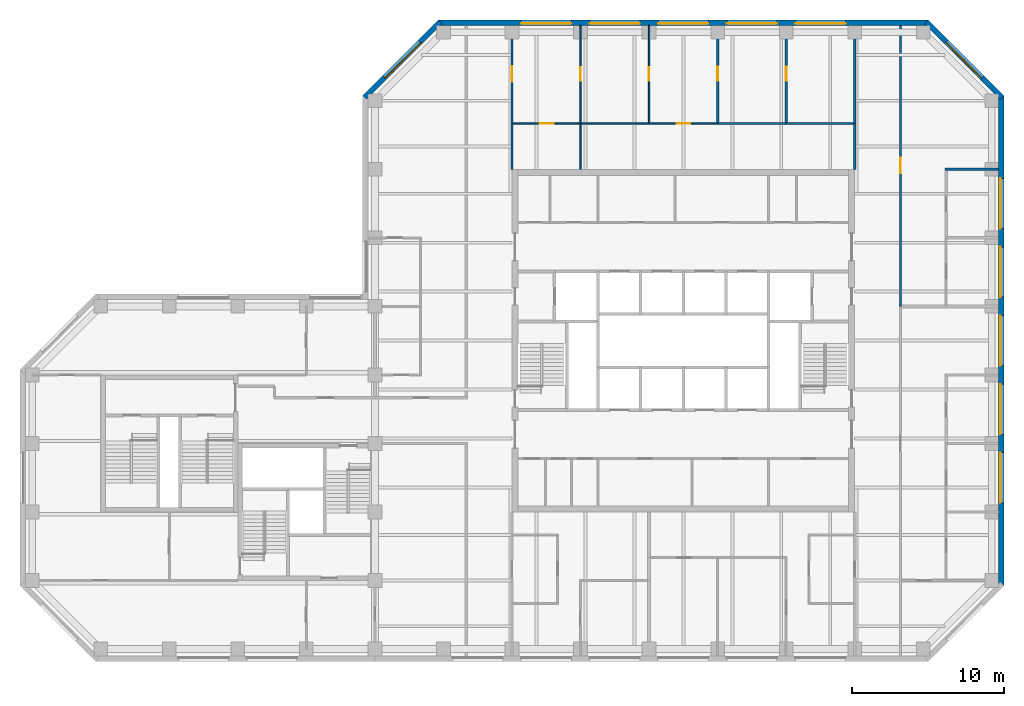
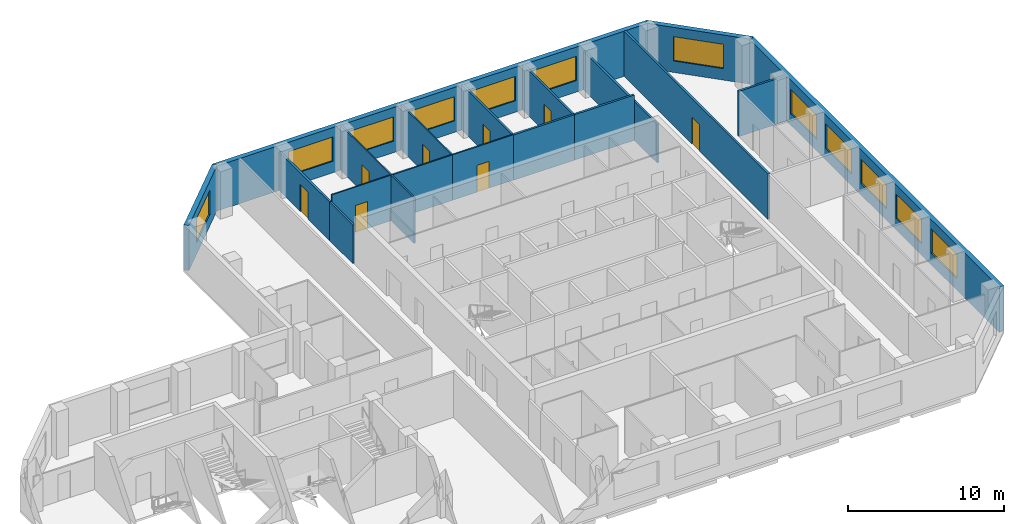
# One storey, part 7 of 9: 20 walls, 12 windows, 8 doors, 20 openings.
"""IFC4 building model written with IfcOpenShell, lengths in metres."""

from ifc_helpers import new_model, si_unit, direction, frame, frame_2d, origin, place, context, subcontext, project, spatial, rectangle, extrude, material, layer, layer_set, constituent, constituent_set, type_object, element, fill, save


model = new_model("IFC4")

# Units and contexts
model_context = context("Model", 3, precision=1e-05, world=origin(), true_north=direction((0.0, 1.0)))
body_context = subcontext(model_context, "Body", "Model", "MODEL_VIEW")
ifc_project = project(units=[si_unit("LENGTHUNIT", "METRE"), si_unit("AREAUNIT", "SQUARE_METRE"), si_unit("VOLUMEUNIT", "CUBIC_METRE"), si_unit("PLANEANGLEUNIT", "RADIAN"), si_unit("MASSUNIT", "GRAM", prefix="KILO")], contexts=[model_context])

# Site, building, storey
site_placement = place(None, origin())
site = spatial("IfcSite", under=ifc_project, at=site_placement, CompositionType="ELEMENT")
building_placement = place(site_placement, origin())
building = spatial("IfcBuilding", under=site, at=building_placement, Name="Quoin Convention Tower", CompositionType="ELEMENT")
storey_placement = place(building_placement, frame((0.0, 0.0, 241.5)))
storey = spatial("IfcBuildingStorey", under=building, at=storey_placement, Name="L63", CompositionType="ELEMENT", Elevation=241.5)

# Walls
ifc_material_1 = material(Name="Plasterboard")
ifc_layer_1 = layer(ifc_material_1, 0.012451171875, Name="Finish")
ifc_material_2 = material(Name="Steel stud framing", Category="steel")
ifc_layer_2 = layer(ifc_material_2, 0.125, Name="Structure")
ifc_layer_3 = layer(ifc_material_1, 0.012451171875, Name="Finish")
ifc_layer_set_1 = layer_set([ifc_layer_1, ifc_layer_2, ifc_layer_3], Name="Steel stud framing")
wall_type_1 = type_object("IfcWallType", Name="Acoustic partition 150", PredefinedType="PARTITIONING", material=ifc_layer_set_1)
wall_1_placement = place(storey_placement, frame((73.425048828125, 72.0, 0.0), z_axis=(0.0, 0.0, 1.0), x_axis=(1.0, 0.0, 0.0)))
element("IfcWall", 1, at=wall_1_placement, inside=storey, type_object=wall_type_1, Name="pw-L63-028", PredefinedType="PARTITIONING", context=body_context, shape_type="SweptSolid", body=[
    extrude(rectangle(XDim=3.52490234375, YDim=0.14990234375, at=frame_2d((1.762451171875, 0.0))), origin(), (0.0, 0.0, 1.0), 3.550048828125),
])
wall_2_placement = place(storey_placement, frame((58.5, 75.0, 0.0), z_axis=(0.0, 0.0, 1.0), x_axis=(1.0, 0.0, 0.0)))
element("IfcWall", 2, at=wall_2_placement, inside=storey, type_object=wall_type_1, Name="pw-L63-032", PredefinedType="PARTITIONING", context=body_context, shape_type="SweptSolid", body=[
    extrude(rectangle(XDim=4.5, YDim=0.14990234375, at=frame_2d((2.25, 0.0))), origin(), (0.0, 0.0, 1.0), 3.550048828125),
])
wall_3_placement = place(storey_placement, frame((63.0, 75.0, 0.0), z_axis=(0.0, 0.0, 1.0), x_axis=(1.0, 0.0, 0.0)))
element("IfcWall", 3, at=wall_3_placement, inside=storey, type_object=wall_type_1, Name="pw-L63-033", PredefinedType="PARTITIONING", context=body_context, shape_type="SweptSolid", body=[
    extrude(rectangle(XDim=4.425048828125, YDim=0.14990234375, at=frame_2d((2.21240234375, 0.0))), origin(), (0.0, 0.0, 1.0), 3.550048828125),
])

# Wall, opening, door
wall_4_placement = place(storey_placement, frame((58.5, 75.074951171875, 0.0), z_axis=(0.0, 0.0, 1.0), x_axis=(0.0, 1.0, 0.0)))
wall_4 = element("IfcWall", 4, at=wall_4_placement, inside=storey, type_object=wall_type_1, Name="pw-L63-078", PredefinedType="PARTITIONING", context=body_context, shape_type="SweptSolid", body=[
    extrude(rectangle(XDim=6.375, YDim=0.14990234375, at=frame_2d((3.1875, 0.0))), origin(), (0.0, 0.0, 1.0), 3.550048828125),
])
opening_1_placement = place(wall_4_placement, frame((2.75, 0.0, 0.0)))
opening_1 = element("IfcOpeningElement", 5, at=opening_1_placement, cuts=wall_4, Name="Opening DOH11-26", PredefinedType="OPENING", context=body_context, shape_type="SweptSolid", body=[
    extrude(rectangle(XDim=0.89990234375, YDim=2.10009765625, at=frame_2d((0.449951171875, 1.050048828125))), frame((0.0, 0.0849609375, 0.0), z_axis=(0.0, -1.0, 0.0), x_axis=(1.0, 0.0, 0.0)), (0.0, 0.0, 1.0), 0.169921875),
])
ifc_material_3 = material(Name="Steel door leaf", Category="steel")
door_type_1 = type_object("IfcDoorType", Name="Office door 900 x 2100", OperationType="SINGLE_SWING_RIGHT", PredefinedType="DOOR", material=ifc_material_3)
door_1_placement = place(opening_1_placement, origin())
door_1 = element("IfcDoor", 6, at=door_1_placement, inside=storey, type_object=door_type_1, Name="dr-L63-20", OperationType="SINGLE_SWING_RIGHT", OverallHeight=2.10009765625, OverallWidth=0.89990234375, PredefinedType="DOOR", context=body_context, shape_type="SweptSolid", body=[
    extrude(rectangle(XDim=0.89990234375, YDim=2.10009765625, at=frame_2d((0.449951171875, 1.050048828125))), frame((0.0, 0.02490234375, 0.0), z_axis=(0.0, -1.0, 0.0), x_axis=(1.0, 0.0, 0.0)), (0.0, 0.0, 1.0), 0.050048828125),
])
fill(opening_1, door_1)

wall_5_placement = place(storey_placement, frame((63.0, 75.074951171875, 0.0), z_axis=(0.0, 0.0, 1.0), x_axis=(0.0, 1.0, 0.0)))
wall_5 = element("IfcWall", 7, at=wall_5_placement, inside=storey, type_object=wall_type_1, Name="pw-L63-079", PredefinedType="PARTITIONING", context=body_context, shape_type="SweptSolid", body=[
    extrude(rectangle(XDim=6.375, YDim=0.14990234375, at=frame_2d((3.1875, 0.0))), origin(), (0.0, 0.0, 1.0), 3.550048828125),
])
opening_2_placement = place(wall_5_placement, frame((2.75, 0.0, 0.0)))
opening_2 = element("IfcOpeningElement", 8, at=opening_2_placement, cuts=wall_5, Name="Opening DOH11-27", PredefinedType="OPENING", context=body_context, shape_type="SweptSolid", body=[
    extrude(rectangle(XDim=0.89990234375, YDim=2.10009765625, at=frame_2d((0.449951171875, 1.050048828125))), frame((0.0, 0.0849609375, 0.0), z_axis=(0.0, -1.0, 0.0), x_axis=(1.0, 0.0, 0.0)), (0.0, 0.0, 1.0), 0.169921875),
])
door_2_placement = place(opening_2_placement, origin())
door_2 = element("IfcDoor", 9, at=door_2_placement, inside=storey, type_object=door_type_1, Name="dr-L63-21", OperationType="SINGLE_SWING_RIGHT", OverallHeight=2.10009765625, OverallWidth=0.89990234375, PredefinedType="DOOR", context=body_context, shape_type="SweptSolid", body=[
    extrude(rectangle(XDim=0.89990234375, YDim=2.10009765625, at=frame_2d((0.449951171875, 1.050048828125))), frame((0.0, 0.02490234375, 0.0), z_axis=(0.0, -1.0, 0.0), x_axis=(1.0, 0.0, 0.0)), (0.0, 0.0, 1.0), 0.050048828125),
])
fill(opening_2, door_2)

# Wall, openings, windows
ifc_material_4 = material(Name="Brick masonry", Category="masonry")
ifc_layer_4 = layer(ifc_material_4, 0.35009765625)
ifc_layer_set_2 = layer_set([ifc_layer_4], Name="Brick masonry")
wall_type_2 = type_object("IfcWallType", Name="Brick facade wall", PredefinedType="STANDARD", material=ifc_layer_set_2)
wall_6_placement = place(storey_placement, frame((77.125, 44.668701171875, 0.0), z_axis=(0.0, 0.0, 1.0), x_axis=(0.0, 1.0, 0.0)))
wall_6 = element("IfcWall", 10, at=wall_6_placement, inside=storey, type_object=wall_type_2, Name="fw-L63-76500_45000", PredefinedType="STANDARD", context=body_context, shape_type="SweptSolid", body=[
    extrude(rectangle(XDim=32.16259765625, YDim=0.35009765625, at=frame_2d((16.081298828125, 0.0))), origin(), (0.0, 0.0, 1.0), 3.52490234375),
])
opening_3_placement = place(wall_6_placement, frame((5.431396484375, 0.0, 0.89990234375)))
opening_3 = element("IfcOpeningElement", 11, at=opening_3_placement, cuts=wall_6, Name="Opening W-02", PredefinedType="OPENING", context=body_context, shape_type="SweptSolid", body=[
    extrude(rectangle(XDim=3.300048828125, YDim=1.89990234375, at=frame_2d((1.64990234375, 0.949951171875))), frame((0.0, 0.18505859375, 0.0), z_axis=(0.0, -1.0, 0.0), x_axis=(1.0, 0.0, 0.0)), (0.0, 0.0, 1.0), 0.3701171875),
])
opening_4_placement = place(wall_6_placement, frame((9.931396484375, 0.0, 0.89990234375)))
opening_4 = element("IfcOpeningElement", 12, at=opening_4_placement, cuts=wall_6, Name="Opening W-02", PredefinedType="OPENING", context=body_context, shape_type="SweptSolid", body=[
    extrude(rectangle(XDim=3.300048828125, YDim=1.89990234375, at=frame_2d((1.64990234375, 0.949951171875))), frame((0.0, 0.18505859375, 0.0), z_axis=(0.0, -1.0, 0.0), x_axis=(1.0, 0.0, 0.0)), (0.0, 0.0, 1.0), 0.3701171875),
])
opening_5_placement = place(wall_6_placement, frame((14.431396484375, 0.0, 0.89990234375)))
opening_5 = element("IfcOpeningElement", 13, at=opening_5_placement, cuts=wall_6, Name="Opening W-02", PredefinedType="OPENING", context=body_context, shape_type="SweptSolid", body=[
    extrude(rectangle(XDim=3.300048828125, YDim=1.89990234375, at=frame_2d((1.64990234375, 0.949951171875))), frame((0.0, 0.18505859375, 0.0), z_axis=(0.0, -1.0, 0.0), x_axis=(1.0, 0.0, 0.0)), (0.0, 0.0, 1.0), 0.3701171875),
])
opening_6_placement = place(wall_6_placement, frame((18.931396484375, 0.0, 0.89990234375)))
opening_6 = element("IfcOpeningElement", 14, at=opening_6_placement, cuts=wall_6, Name="Opening W-02", PredefinedType="OPENING", context=body_context, shape_type="SweptSolid", body=[
    extrude(rectangle(XDim=3.300048828125, YDim=1.89990234375, at=frame_2d((1.64990234375, 0.949951171875))), frame((0.0, 0.18505859375, 0.0), z_axis=(0.0, -1.0, 0.0), x_axis=(1.0, 0.0, 0.0)), (0.0, 0.0, 1.0), 0.3701171875),
])
opening_7_placement = place(wall_6_placement, frame((23.431396484375, 0.0, 0.89990234375)))
opening_7 = element("IfcOpeningElement", 15, at=opening_7_placement, cuts=wall_6, Name="Opening W-02", PredefinedType="OPENING", context=body_context, shape_type="SweptSolid", body=[
    extrude(rectangle(XDim=3.300048828125, YDim=1.89990234375, at=frame_2d((1.64990234375, 0.949951171875))), frame((0.0, 0.18505859375, 0.0), z_axis=(0.0, -1.0, 0.0), x_axis=(1.0, 0.0, 0.0)), (0.0, 0.0, 1.0), 0.3701171875),
])
ifc_material_5 = material(Name="Aluminium", Category="aluminium")
ifc_constituent_1 = constituent(ifc_material_5, Name="Frame")
ifc_material_6 = material(Name="Insulated glass", Category="glass")
ifc_constituent_2 = constituent(ifc_material_6, Name="Glazing")
ifc_constituent_set = constituent_set(constituents=[ifc_constituent_1, ifc_constituent_2], Name="Aluminium")
window_type = type_object("IfcWindowType", Name="Office window", PartitioningType="DOUBLE_PANEL_VERTICAL", PredefinedType="WINDOW", material=ifc_constituent_set)
window_1_placement = place(opening_3_placement, origin())
window_1 = element("IfcWindow", 16, at=window_1_placement, inside=storey, type_object=window_type, Name="win-L63-77125_51750", OverallHeight=1.89990234375, OverallWidth=3.300048828125, PartitioningType="SINGLE_PANEL", PredefinedType="WINDOW", context=body_context, shape_type="SweptSolid", body=[
    extrude(rectangle(XDim=3.300048828125, YDim=1.89990234375, at=frame_2d((1.64990234375, 0.949951171875))), frame((0.0, 0.0849609375, 0.0), z_axis=(0.0, -1.0, 0.0), x_axis=(1.0, 0.0, 0.0)), (0.0, 0.0, 1.0), 0.06005859375),
])
fill(opening_3, window_1)
window_2_placement = place(opening_4_placement, origin())
window_2 = element("IfcWindow", 17, at=window_2_placement, inside=storey, type_object=window_type, Name="win-L63-77125_56250", OverallHeight=1.89990234375, OverallWidth=3.300048828125, PartitioningType="SINGLE_PANEL", PredefinedType="WINDOW", context=body_context, shape_type="SweptSolid", body=[
    extrude(rectangle(XDim=3.300048828125, YDim=1.89990234375, at=frame_2d((1.64990234375, 0.949951171875))), frame((0.0, 0.0849609375, 0.0), z_axis=(0.0, -1.0, 0.0), x_axis=(1.0, 0.0, 0.0)), (0.0, 0.0, 1.0), 0.06005859375),
])
fill(opening_4, window_2)
window_3_placement = place(opening_5_placement, origin())
window_3 = element("IfcWindow", 18, at=window_3_placement, inside=storey, type_object=window_type, Name="win-L63-77125_60750", OverallHeight=1.89990234375, OverallWidth=3.300048828125, PartitioningType="SINGLE_PANEL", PredefinedType="WINDOW", context=body_context, shape_type="SweptSolid", body=[
    extrude(rectangle(XDim=3.300048828125, YDim=1.89990234375, at=frame_2d((1.64990234375, 0.949951171875))), frame((0.0, 0.0849609375, 0.0), z_axis=(0.0, -1.0, 0.0), x_axis=(1.0, 0.0, 0.0)), (0.0, 0.0, 1.0), 0.06005859375),
])
fill(opening_5, window_3)
window_4_placement = place(opening_6_placement, origin())
window_4 = element("IfcWindow", 19, at=window_4_placement, inside=storey, type_object=window_type, Name="win-L63-77125_65250", OverallHeight=1.89990234375, OverallWidth=3.300048828125, PartitioningType="SINGLE_PANEL", PredefinedType="WINDOW", context=body_context, shape_type="SweptSolid", body=[
    extrude(rectangle(XDim=3.300048828125, YDim=1.89990234375, at=frame_2d((1.64990234375, 0.949951171875))), frame((0.0, 0.0849609375, 0.0), z_axis=(0.0, -1.0, 0.0), x_axis=(1.0, 0.0, 0.0)), (0.0, 0.0, 1.0), 0.06005859375),
])
fill(opening_6, window_4)
window_5_placement = place(opening_7_placement, origin())
window_5 = element("IfcWindow", 20, at=window_5_placement, inside=storey, type_object=window_type, Name="win-L63-77125_69750", OverallHeight=1.89990234375, OverallWidth=3.300048828125, PartitioningType="SINGLE_PANEL", PredefinedType="WINDOW", context=body_context, shape_type="SweptSolid", body=[
    extrude(rectangle(XDim=3.300048828125, YDim=1.89990234375, at=frame_2d((1.64990234375, 0.949951171875))), frame((0.0, 0.0849609375, 0.0), z_axis=(0.0, -1.0, 0.0), x_axis=(1.0, 0.0, 0.0)), (0.0, 0.0, 1.0), 0.06005859375),
])
fill(opening_7, window_5)

# Wall, opening, window
wall_7_placement = place(storey_placement, frame((77.17626953125, 76.70751953125, 0.0), z_axis=(0.0, 0.0, 1.0), x_axis=(-0.707106781187, 0.707106781187, 0.0)))
wall_7 = element("IfcWall", 21, at=wall_7_placement, inside=storey, type_object=wall_type_2, Name="fw-L63-76500_76500", PredefinedType="STANDARD", context=body_context, shape_type="SweptSolid", body=[
    extrude(rectangle(XDim=7.02685546875, YDim=0.35009765625, at=frame_2d((3.513427734375, 0.0))), origin(), (0.0, 0.0, 1.0), 3.52490234375),
])
opening_8_placement = place(wall_7_placement, frame((1.86328125, 0.0, 0.89990234375)))
opening_8 = element("IfcOpeningElement", 22, at=opening_8_placement, cuts=wall_7, Name="Opening W-02", PredefinedType="OPENING", context=body_context, shape_type="SweptSolid", body=[
    extrude(rectangle(XDim=3.300048828125, YDim=1.89990234375, at=frame_2d((1.64990234375, 0.949951171875))), frame((0.0, 0.18505859375, 0.0), z_axis=(0.0, -1.0, 0.0), x_axis=(1.0, 0.0, 0.0)), (0.0, 0.0, 1.0), 0.3701171875),
])
window_6_placement = place(opening_8_placement, origin())
window_6 = element("IfcWindow", 23, at=window_6_placement, inside=storey, type_object=window_type, Name="win-L63-74692_79192", OverallHeight=1.89990234375, OverallWidth=3.300048828125, PartitioningType="SINGLE_PANEL", PredefinedType="WINDOW", context=body_context, shape_type="SweptSolid", body=[
    extrude(rectangle(XDim=3.300048828125, YDim=1.89990234375, at=frame_2d((1.64990234375, 0.949951171875))), frame((0.0, 0.0849609375, 0.0), z_axis=(0.0, -1.0, 0.0), x_axis=(1.0, 0.0, 0.0)), (0.0, 0.0, 1.0), 0.06005859375),
])
fill(opening_8, window_6)

# Wall, openings, windows
wall_8_placement = place(storey_placement, frame((72.331298828125, 81.625, 0.0), z_axis=(0.0, 0.0, 1.0), x_axis=(-1.0, 0.0, 0.0)))
wall_8 = element("IfcWall", 24, at=wall_8_placement, inside=storey, type_object=wall_type_2, Name="fw-L63-72000_81000", PredefinedType="STANDARD", context=body_context, shape_type="SweptSolid", body=[
    extrude(rectangle(XDim=32.16259765625, YDim=0.35009765625, at=frame_2d((16.081298828125, 0.0))), origin(), (0.0, 0.0, 1.0), 3.52490234375),
])
opening_9_placement = place(wall_8_placement, frame((5.431396484375, 0.0, 0.89990234375)))
opening_9 = element("IfcOpeningElement", 25, at=opening_9_placement, cuts=wall_8, Name="Opening W-02", PredefinedType="OPENING", context=body_context, shape_type="SweptSolid", body=[
    extrude(rectangle(XDim=3.300048828125, YDim=1.89990234375, at=frame_2d((1.64990234375, 0.949951171875))), frame((0.0, 0.18505859375, 0.0), z_axis=(0.0, -1.0, 0.0), x_axis=(1.0, 0.0, 0.0)), (0.0, 0.0, 1.0), 0.3701171875),
])
opening_10_placement = place(wall_8_placement, frame((9.931396484375, 0.0, 0.89990234375)))
opening_10 = element("IfcOpeningElement", 26, at=opening_10_placement, cuts=wall_8, Name="Opening W-02", PredefinedType="OPENING", context=body_context, shape_type="SweptSolid", body=[
    extrude(rectangle(XDim=3.300048828125, YDim=1.89990234375, at=frame_2d((1.64990234375, 0.949951171875))), frame((0.0, 0.18505859375, 0.0), z_axis=(0.0, -1.0, 0.0), x_axis=(1.0, 0.0, 0.0)), (0.0, 0.0, 1.0), 0.3701171875),
])
opening_11_placement = place(wall_8_placement, frame((14.431396484375, 0.0, 0.89990234375)))
opening_11 = element("IfcOpeningElement", 27, at=opening_11_placement, cuts=wall_8, Name="Opening W-02", PredefinedType="OPENING", context=body_context, shape_type="SweptSolid", body=[
    extrude(rectangle(XDim=3.300048828125, YDim=1.89990234375, at=frame_2d((1.64990234375, 0.949951171875))), frame((0.0, 0.18505859375, 0.0), z_axis=(0.0, -1.0, 0.0), x_axis=(1.0, 0.0, 0.0)), (0.0, 0.0, 1.0), 0.3701171875),
])
opening_12_placement = place(wall_8_placement, frame((18.931396484375, 0.0, 0.89990234375)))
opening_12 = element("IfcOpeningElement", 28, at=opening_12_placement, cuts=wall_8, Name="Opening W-02", PredefinedType="OPENING", context=body_context, shape_type="SweptSolid", body=[
    extrude(rectangle(XDim=3.300048828125, YDim=1.89990234375, at=frame_2d((1.64990234375, 0.949951171875))), frame((0.0, 0.18505859375, 0.0), z_axis=(0.0, -1.0, 0.0), x_axis=(1.0, 0.0, 0.0)), (0.0, 0.0, 1.0), 0.3701171875),
])
opening_13_placement = place(wall_8_placement, frame((23.431396484375, 0.0, 0.89990234375)))
opening_13 = element("IfcOpeningElement", 29, at=opening_13_placement, cuts=wall_8, Name="Opening W-02", PredefinedType="OPENING", context=body_context, shape_type="SweptSolid", body=[
    extrude(rectangle(XDim=3.300048828125, YDim=1.89990234375, at=frame_2d((1.64990234375, 0.949951171875))), frame((0.0, 0.18505859375, 0.0), z_axis=(0.0, -1.0, 0.0), x_axis=(1.0, 0.0, 0.0)), (0.0, 0.0, 1.0), 0.3701171875),
])
window_7_placement = place(opening_9_placement, origin())
window_7 = element("IfcWindow", 30, at=window_7_placement, inside=storey, type_object=window_type, Name="win-L63-65250_81625", OverallHeight=1.89990234375, OverallWidth=3.300048828125, PartitioningType="SINGLE_PANEL", PredefinedType="WINDOW", context=body_context, shape_type="SweptSolid", body=[
    extrude(rectangle(XDim=3.300048828125, YDim=1.89990234375, at=frame_2d((1.64990234375, 0.949951171875))), frame((0.0, 0.0849609375, 0.0), z_axis=(0.0, -1.0, 0.0), x_axis=(1.0, 0.0, 0.0)), (0.0, 0.0, 1.0), 0.06005859375),
])
fill(opening_9, window_7)
window_8_placement = place(opening_10_placement, origin())
window_8 = element("IfcWindow", 31, at=window_8_placement, inside=storey, type_object=window_type, Name="win-L63-60750_81625", OverallHeight=1.89990234375, OverallWidth=3.300048828125, PartitioningType="SINGLE_PANEL", PredefinedType="WINDOW", context=body_context, shape_type="SweptSolid", body=[
    extrude(rectangle(XDim=3.300048828125, YDim=1.89990234375, at=frame_2d((1.64990234375, 0.949951171875))), frame((0.0, 0.0849609375, 0.0), z_axis=(0.0, -1.0, 0.0), x_axis=(1.0, 0.0, 0.0)), (0.0, 0.0, 1.0), 0.06005859375),
])
fill(opening_10, window_8)
window_9_placement = place(opening_11_placement, origin())
window_9 = element("IfcWindow", 32, at=window_9_placement, inside=storey, type_object=window_type, Name="win-L63-56250_81625", OverallHeight=1.89990234375, OverallWidth=3.300048828125, PartitioningType="SINGLE_PANEL", PredefinedType="WINDOW", context=body_context, shape_type="SweptSolid", body=[
    extrude(rectangle(XDim=3.300048828125, YDim=1.89990234375, at=frame_2d((1.64990234375, 0.949951171875))), frame((0.0, 0.0849609375, 0.0), z_axis=(0.0, -1.0, 0.0), x_axis=(1.0, 0.0, 0.0)), (0.0, 0.0, 1.0), 0.06005859375),
])
fill(opening_11, window_9)
window_10_placement = place(opening_12_placement, origin())
window_10 = element("IfcWindow", 33, at=window_10_placement, inside=storey, type_object=window_type, Name="win-L63-51750_81625", OverallHeight=1.89990234375, OverallWidth=3.300048828125, PartitioningType="SINGLE_PANEL", PredefinedType="WINDOW", context=body_context, shape_type="SweptSolid", body=[
    extrude(rectangle(XDim=3.300048828125, YDim=1.89990234375, at=frame_2d((1.64990234375, 0.949951171875))), frame((0.0, 0.0849609375, 0.0), z_axis=(0.0, -1.0, 0.0), x_axis=(1.0, 0.0, 0.0)), (0.0, 0.0, 1.0), 0.06005859375),
])
fill(opening_12, window_10)
window_11_placement = place(opening_13_placement, origin())
window_11 = element("IfcWindow", 34, at=window_11_placement, inside=storey, type_object=window_type, Name="win-L63-47250_81625", OverallHeight=1.89990234375, OverallWidth=3.300048828125, PartitioningType="SINGLE_PANEL", PredefinedType="WINDOW", context=body_context, shape_type="SweptSolid", body=[
    extrude(rectangle(XDim=3.300048828125, YDim=1.89990234375, at=frame_2d((1.64990234375, 0.949951171875))), frame((0.0, 0.0849609375, 0.0), z_axis=(0.0, -1.0, 0.0), x_axis=(1.0, 0.0, 0.0)), (0.0, 0.0, 1.0), 0.06005859375),
])
fill(opening_13, window_11)

# Wall, opening, window
wall_9_placement = place(storey_placement, frame((40.29248046875, 81.67626953125, 0.0), z_axis=(0.0, 0.0, 1.0), x_axis=(-0.707106781187, -0.707106781187, 0.0)))
wall_9 = element("IfcWall", 35, at=wall_9_placement, inside=storey, type_object=wall_type_2, Name="fw-L63-40500_81000", PredefinedType="STANDARD", context=body_context, shape_type="SweptSolid", body=[
    extrude(rectangle(XDim=7.02685546875, YDim=0.35009765625, at=frame_2d((3.513427734375, 0.0))), origin(), (0.0, 0.0, 1.0), 3.52490234375),
])
opening_14_placement = place(wall_9_placement, frame((1.86328125, 0.0, 0.89990234375)))
opening_14 = element("IfcOpeningElement", 36, at=opening_14_placement, cuts=wall_9, Name="Opening W-02", PredefinedType="OPENING", context=body_context, shape_type="SweptSolid", body=[
    extrude(rectangle(XDim=3.300048828125, YDim=1.89990234375, at=frame_2d((1.64990234375, 0.949951171875))), frame((0.0, 0.18505859375, 0.0), z_axis=(0.0, -1.0, 0.0), x_axis=(1.0, 0.0, 0.0)), (0.0, 0.0, 1.0), 0.3701171875),
])
window_12_placement = place(opening_14_placement, origin())
window_12 = element("IfcWindow", 37, at=window_12_placement, inside=storey, type_object=window_type, Name="win-L63-37808_79192", OverallHeight=1.89990234375, OverallWidth=3.300048828125, PartitioningType="SINGLE_PANEL", PredefinedType="WINDOW", context=body_context, shape_type="SweptSolid", body=[
    extrude(rectangle(XDim=3.300048828125, YDim=1.89990234375, at=frame_2d((1.64990234375, 0.949951171875))), frame((0.0, 0.0849609375, 0.0), z_axis=(0.0, -1.0, 0.0), x_axis=(1.0, 0.0, 0.0)), (0.0, 0.0, 1.0), 0.06005859375),
])
fill(opening_14, window_12)

# Wall, opening, door
ifc_layer_5 = layer(ifc_material_1, 0.012451171875, Name="Finish")
ifc_layer_6 = layer(ifc_material_2, 0.125, Name="Structure")
ifc_layer_7 = layer(ifc_material_1, 0.012451171875, Name="Finish")
ifc_layer_set_3 = layer_set([ifc_layer_5, ifc_layer_6, ifc_layer_7], Name="Steel stud framing")
wall_type_3 = type_object("IfcWallType", Name="Corridor wall 150", PredefinedType="PARTITIONING", material=ifc_layer_set_3)
wall_10_placement = place(storey_placement, frame((70.5, 63.0, 0.0), z_axis=(0.0, 0.0, 1.0), x_axis=(0.0, 1.0, 0.0)))
wall_10 = element("IfcWall", 38, at=wall_10_placement, inside=storey, type_object=wall_type_3, Name="pw-L63-068", PredefinedType="PARTITIONING", context=body_context, shape_type="SweptSolid", body=[
    extrude(rectangle(XDim=18.449951171875, YDim=0.14990234375, at=frame_2d((9.22509765625, 0.0))), origin(), (0.0, 0.0, 1.0), 3.550048828125),
])
opening_15_placement = place(wall_10_placement, frame((8.75, 0.0, 0.0)))
opening_15 = element("IfcOpeningElement", 39, at=opening_15_placement, cuts=wall_10, Name="Opening DOH11-20", PredefinedType="OPENING", context=body_context, shape_type="SweptSolid", body=[
    extrude(rectangle(XDim=1.0, YDim=2.10009765625, at=frame_2d((0.5, 1.050048828125))), frame((0.0, 0.0849609375, 0.0), z_axis=(0.0, -1.0, 0.0), x_axis=(1.0, 0.0, 0.0)), (0.0, 0.0, 1.0), 0.169921875),
])
door_type_2 = type_object("IfcDoorType", Name="Tenancy entrance door 1000 x 2100", OperationType="DOUBLE_DOOR_SINGLE_SWING", PredefinedType="DOOR", material=ifc_material_3)
door_3_placement = place(opening_15_placement, frame((1.0, 0.0, 0.0), z_axis=(0.0, 0.0, 1.0), x_axis=(-1.0, 0.0, 0.0)))
door_3 = element("IfcDoor", 40, at=door_3_placement, inside=storey, type_object=door_type_2, Name="dr-L63-29", OperationType="DOUBLE_DOOR_SINGLE_SWING", OverallHeight=2.10009765625, OverallWidth=1.0, PredefinedType="DOOR", context=body_context, shape_type="SweptSolid", body=[
    extrude(rectangle(XDim=1.0, YDim=2.10009765625, at=frame_2d((0.5, 1.050048828125))), frame((0.0, 0.02490234375, 0.0), z_axis=(0.0, -1.0, 0.0), x_axis=(1.0, 0.0, 0.0)), (0.0, 0.0, 1.0), 0.050048828125),
])
fill(opening_15, door_3)

# Walls
ifc_layer_8 = layer(ifc_material_1, 0.012451171875, Name="Finish")
ifc_layer_9 = layer(ifc_material_2, 0.125, Name="Structure")
ifc_layer_10 = layer(ifc_material_1, 0.012451171875, Name="Finish")
ifc_layer_set_4 = layer_set([ifc_layer_8, ifc_layer_9, ifc_layer_10], Name="Steel stud framing")
wall_type_4 = type_object("IfcWallType", Name="Corridor wall 150 under beam 528", PredefinedType="PARTITIONING", material=ifc_layer_set_4)
for number, where, z_axis, x_axis, name in (
    (41, (45.0, 72.0, 0.0), (0.0, 0.0, 1.0), (0.0, 1.0, 0.0), "pw-L63-071"),
    (42, (67.5, 72.0, 0.0), (0.0, 0.0, 1.0), (0.0, 1.0, 0.0), "pw-L63-073"),
):
    element("IfcWall", number, at=place(storey_placement, frame(where, z_axis=z_axis, x_axis=x_axis)), inside=storey, type_object=wall_type_4, Name=name, PredefinedType="PARTITIONING", context=body_context, shape_type="SweptSolid", body=[
        extrude(rectangle(XDim=3.0, YDim=0.14990234375, at=frame_2d((1.5, 0.0))), origin(), (0.0, 0.0, 1.0), 3.02197265625),
    ])

# Wall, opening, door
wall_11_placement = place(storey_placement, frame((45.0, 75.0, 0.0), z_axis=(0.0, 0.0, 1.0), x_axis=(0.0, 1.0, 0.0)))
wall_11 = element("IfcWall", 43, at=wall_11_placement, inside=storey, type_object=wall_type_4, Name="pw-L63-074", PredefinedType="PARTITIONING", context=body_context, shape_type="SweptSolid", body=[
    extrude(rectangle(XDim=6.449951171875, YDim=0.14990234375, at=frame_2d((3.22509765625, 0.0))), origin(), (0.0, 0.0, 1.0), 3.02197265625),
])
opening_16_placement = place(wall_11_placement, frame((2.75, 0.0, 0.0)))
opening_16 = element("IfcOpeningElement", 44, at=opening_16_placement, cuts=wall_11, Name="Opening DOH11-23", PredefinedType="OPENING", context=body_context, shape_type="SweptSolid", body=[
    extrude(rectangle(XDim=1.0, YDim=2.10009765625, at=frame_2d((0.5, 1.050048828125))), frame((0.0, 0.0849609375, 0.0), z_axis=(0.0, -1.0, 0.0), x_axis=(1.0, 0.0, 0.0)), (0.0, 0.0, 1.0), 0.169921875),
])
door_4_placement = place(opening_16_placement, frame((1.0, 0.0, 0.0), z_axis=(0.0, 0.0, 1.0), x_axis=(-1.0, 0.0, 0.0)))
door_4 = element("IfcDoor", 45, at=door_4_placement, inside=storey, type_object=door_type_2, Name="dr-L63-17", OperationType="DOUBLE_DOOR_SINGLE_SWING", OverallHeight=2.10009765625, OverallWidth=1.0, PredefinedType="DOOR", context=body_context, shape_type="SweptSolid", body=[
    extrude(rectangle(XDim=1.0, YDim=2.10009765625, at=frame_2d((0.5, 1.050048828125))), frame((0.0, 0.02490234375, 0.0), z_axis=(0.0, -1.0, 0.0), x_axis=(1.0, 0.0, 0.0)), (0.0, 0.0, 1.0), 0.050048828125),
])
fill(opening_16, door_4)

# Wall
wall_12_placement = place(storey_placement, frame((67.5, 75.0, 0.0), z_axis=(0.0, 0.0, 1.0), x_axis=(0.0, 1.0, 0.0)))
element("IfcWall", 46, at=wall_12_placement, inside=storey, type_object=wall_type_4, Name="pw-L63-076", PredefinedType="PARTITIONING", context=body_context, shape_type="SweptSolid", body=[
    extrude(rectangle(XDim=6.449951171875, YDim=0.14990234375, at=frame_2d((3.22509765625, 0.0))), origin(), (0.0, 0.0, 1.0), 3.02197265625),
])

# Wall, opening, door
ifc_layer_11 = layer(ifc_material_1, 0.012451171875, Name="Finish")
ifc_layer_12 = layer(ifc_material_2, 0.074951171875, Name="Structure")
ifc_layer_13 = layer(ifc_material_1, 0.012451171875, Name="Finish")
ifc_layer_set_5 = layer_set([ifc_layer_11, ifc_layer_12, ifc_layer_13], Name="Steel stud framing")
wall_type_5 = type_object("IfcWallType", Name="Stud partition 100", PredefinedType="PARTITIONING", material=ifc_layer_set_5)
wall_13_placement = place(storey_placement, frame((45.074951171875, 75.0, 0.0), z_axis=(0.0, 0.0, 1.0), x_axis=(1.0, 0.0, 0.0)))
wall_13 = element("IfcWall", 47, at=wall_13_placement, inside=storey, type_object=wall_type_5, Name="pw-L63-029", PredefinedType="PARTITIONING", context=body_context, shape_type="SweptSolid", body=[
    extrude(rectangle(XDim=4.375, YDim=0.10009765625, at=frame_2d((2.1875, 0.0))), origin(), (0.0, 0.0, 1.0), 3.550048828125),
])
opening_17_placement = place(wall_13_placement, frame((1.75, 0.0, 0.0)))
opening_17 = element("IfcOpeningElement", 48, at=opening_17_placement, cuts=wall_13, Name="Opening DOH11-07", PredefinedType="OPENING", context=body_context, shape_type="SweptSolid", body=[
    extrude(rectangle(XDim=0.89990234375, YDim=2.10009765625, at=frame_2d((0.449951171875, 1.050048828125))), frame((0.0, 0.06005859375, 0.0), z_axis=(0.0, -1.0, 0.0), x_axis=(1.0, 0.0, 0.0)), (0.0, 0.0, 1.0), 0.1201171875),
])
door_5_placement = place(opening_17_placement, origin())
door_5 = element("IfcDoor", 49, at=door_5_placement, inside=storey, type_object=door_type_1, Name="dr-L63-22", OperationType="SINGLE_SWING_RIGHT", OverallHeight=2.10009765625, OverallWidth=0.89990234375, PredefinedType="DOOR", context=body_context, shape_type="SweptSolid", body=[
    extrude(rectangle(XDim=0.89990234375, YDim=2.10009765625, at=frame_2d((0.449951171875, 1.050048828125))), frame((0.0, 0.02490234375, 0.0), z_axis=(0.0, -1.0, 0.0), x_axis=(1.0, 0.0, 0.0)), (0.0, 0.0, 1.0), 0.050048828125),
])
fill(opening_17, door_5)

# Wall
wall_14_placement = place(storey_placement, frame((49.550048828125, 75.0, 0.0), z_axis=(0.0, 0.0, 1.0), x_axis=(1.0, 0.0, 0.0)))
element("IfcWall", 50, at=wall_14_placement, inside=storey, type_object=wall_type_5, Name="pw-L63-030", PredefinedType="PARTITIONING", context=body_context, shape_type="SweptSolid", body=[
    extrude(rectangle(XDim=4.449951171875, YDim=0.10009765625, at=frame_2d((2.22509765625, 0.0))), origin(), (0.0, 0.0, 1.0), 3.550048828125),
])

# Wall, opening, door
wall_15_placement = place(storey_placement, frame((54.0, 75.0, 0.0), z_axis=(0.0, 0.0, 1.0), x_axis=(1.0, 0.0, 0.0)))
wall_15 = element("IfcWall", 51, at=wall_15_placement, inside=storey, type_object=wall_type_5, Name="pw-L63-031", PredefinedType="PARTITIONING", context=body_context, shape_type="SweptSolid", body=[
    extrude(rectangle(XDim=4.5, YDim=0.10009765625, at=frame_2d((2.25, 0.0))), origin(), (0.0, 0.0, 1.0), 3.550048828125),
])
opening_18_placement = place(wall_15_placement, frame((1.800048828125, 0.0, 0.0)))
opening_18 = element("IfcOpeningElement", 52, at=opening_18_placement, cuts=wall_15, Name="Opening DOH11-08", PredefinedType="OPENING", context=body_context, shape_type="SweptSolid", body=[
    extrude(rectangle(XDim=0.89990234375, YDim=2.10009765625, at=frame_2d((0.449951171875, 1.050048828125))), frame((0.0, 0.06005859375, 0.0), z_axis=(0.0, -1.0, 0.0), x_axis=(1.0, 0.0, 0.0)), (0.0, 0.0, 1.0), 0.1201171875),
])
door_6_placement = place(opening_18_placement, frame((0.89990234375, 0.0, 0.0), z_axis=(0.0, 0.0, 1.0), x_axis=(-1.0, 0.0, 0.0)))
door_6 = element("IfcDoor", 53, at=door_6_placement, inside=storey, type_object=door_type_1, Name="dr-L63-23", OperationType="SINGLE_SWING_LEFT", OverallHeight=2.10009765625, OverallWidth=0.89990234375, PredefinedType="DOOR", context=body_context, shape_type="SweptSolid", body=[
    extrude(rectangle(XDim=0.89990234375, YDim=2.10009765625, at=frame_2d((0.449951171875, 1.050048828125))), frame((0.0, 0.02490234375, 0.0), z_axis=(0.0, -1.0, 0.0), x_axis=(1.0, 0.0, 0.0)), (0.0, 0.0, 1.0), 0.050048828125),
])
fill(opening_18, door_6)

# Wall
wall_16_placement = place(storey_placement, frame((49.5, 72.0, 0.0), z_axis=(0.0, 0.0, 1.0), x_axis=(0.0, 1.0, 0.0)))
element("IfcWall", 54, at=wall_16_placement, inside=storey, type_object=wall_type_5, Name="pw-L63-072", PredefinedType="PARTITIONING", context=body_context, shape_type="SweptSolid", body=[
    extrude(rectangle(XDim=3.0, YDim=0.10009765625, at=frame_2d((1.5, 0.0))), origin(), (0.0, 0.0, 1.0), 3.550048828125),
])

# Wall, opening, door
wall_17_placement = place(storey_placement, frame((49.5, 75.0, 0.0), z_axis=(0.0, 0.0, 1.0), x_axis=(0.0, 1.0, 0.0)))
wall_17 = element("IfcWall", 55, at=wall_17_placement, inside=storey, type_object=wall_type_5, Name="pw-L63-075", PredefinedType="PARTITIONING", context=body_context, shape_type="SweptSolid", body=[
    extrude(rectangle(XDim=6.449951171875, YDim=0.10009765625, at=frame_2d((3.22509765625, 0.0))), origin(), (0.0, 0.0, 1.0), 3.550048828125),
])
opening_19_placement = place(wall_17_placement, frame((2.800048828125, 0.0, 0.0)))
opening_19 = element("IfcOpeningElement", 56, at=opening_19_placement, cuts=wall_17, Name="Opening DOH11-24", PredefinedType="OPENING", context=body_context, shape_type="SweptSolid", body=[
    extrude(rectangle(XDim=0.89990234375, YDim=2.10009765625, at=frame_2d((0.449951171875, 1.050048828125))), frame((0.0, 0.06005859375, 0.0), z_axis=(0.0, -1.0, 0.0), x_axis=(1.0, 0.0, 0.0)), (0.0, 0.0, 1.0), 0.1201171875),
])
door_7_placement = place(opening_19_placement, frame((0.89990234375, 0.0, 0.0), z_axis=(0.0, 0.0, 1.0), x_axis=(-1.0, 0.0, 0.0)))
door_7 = element("IfcDoor", 57, at=door_7_placement, inside=storey, type_object=door_type_1, Name="dr-L63-18", OperationType="SINGLE_SWING_LEFT", OverallHeight=2.10009765625, OverallWidth=0.89990234375, PredefinedType="DOOR", context=body_context, shape_type="SweptSolid", body=[
    extrude(rectangle(XDim=0.89990234375, YDim=2.10009765625, at=frame_2d((0.449951171875, 1.050048828125))), frame((0.0, 0.02490234375, 0.0), z_axis=(0.0, -1.0, 0.0), x_axis=(1.0, 0.0, 0.0)), (0.0, 0.0, 1.0), 0.050048828125),
])
fill(opening_19, door_7)

wall_18_placement = place(storey_placement, frame((54.0, 75.050048828125, 0.0), z_axis=(0.0, 0.0, 1.0), x_axis=(0.0, 1.0, 0.0)))
wall_18 = element("IfcWall", 58, at=wall_18_placement, inside=storey, type_object=wall_type_5, Name="pw-L63-077", PredefinedType="PARTITIONING", context=body_context, shape_type="SweptSolid", body=[
    extrude(rectangle(XDim=6.39990234375, YDim=0.10009765625, at=frame_2d((3.199951171875, 0.0))), origin(), (0.0, 0.0, 1.0), 3.550048828125),
])
opening_20_placement = place(wall_18_placement, frame((2.75, 0.0, 0.0)))
opening_20 = element("IfcOpeningElement", 59, at=opening_20_placement, cuts=wall_18, Name="Opening DOH11-25", PredefinedType="OPENING", context=body_context, shape_type="SweptSolid", body=[
    extrude(rectangle(XDim=0.89990234375, YDim=2.10009765625, at=frame_2d((0.449951171875, 1.050048828125))), frame((0.0, 0.06005859375, 0.0), z_axis=(0.0, -1.0, 0.0), x_axis=(1.0, 0.0, 0.0)), (0.0, 0.0, 1.0), 0.1201171875),
])
door_8_placement = place(opening_20_placement, origin())
door_8 = element("IfcDoor", 60, at=door_8_placement, inside=storey, type_object=door_type_1, Name="dr-L63-19", OperationType="SINGLE_SWING_RIGHT", OverallHeight=2.10009765625, OverallWidth=0.89990234375, PredefinedType="DOOR", context=body_context, shape_type="SweptSolid", body=[
    extrude(rectangle(XDim=0.89990234375, YDim=2.10009765625, at=frame_2d((0.449951171875, 1.050048828125))), frame((0.0, 0.02490234375, 0.0), z_axis=(0.0, -1.0, 0.0), x_axis=(1.0, 0.0, 0.0)), (0.0, 0.0, 1.0), 0.050048828125),
])
fill(opening_20, door_8)

save(model, "model.ifc")
